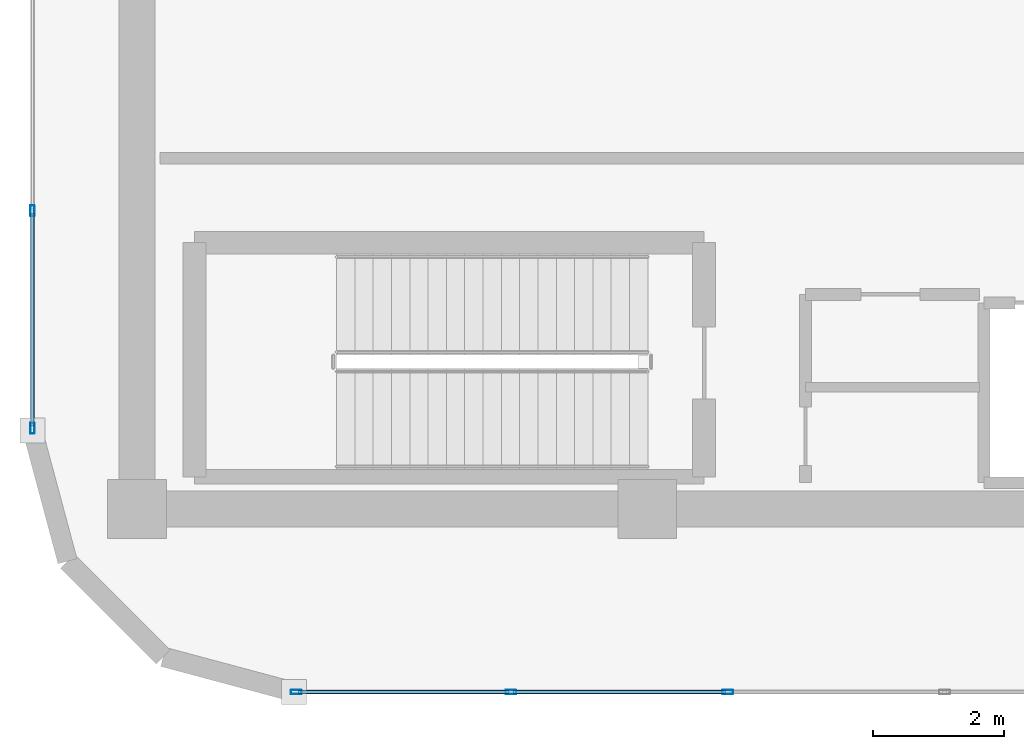
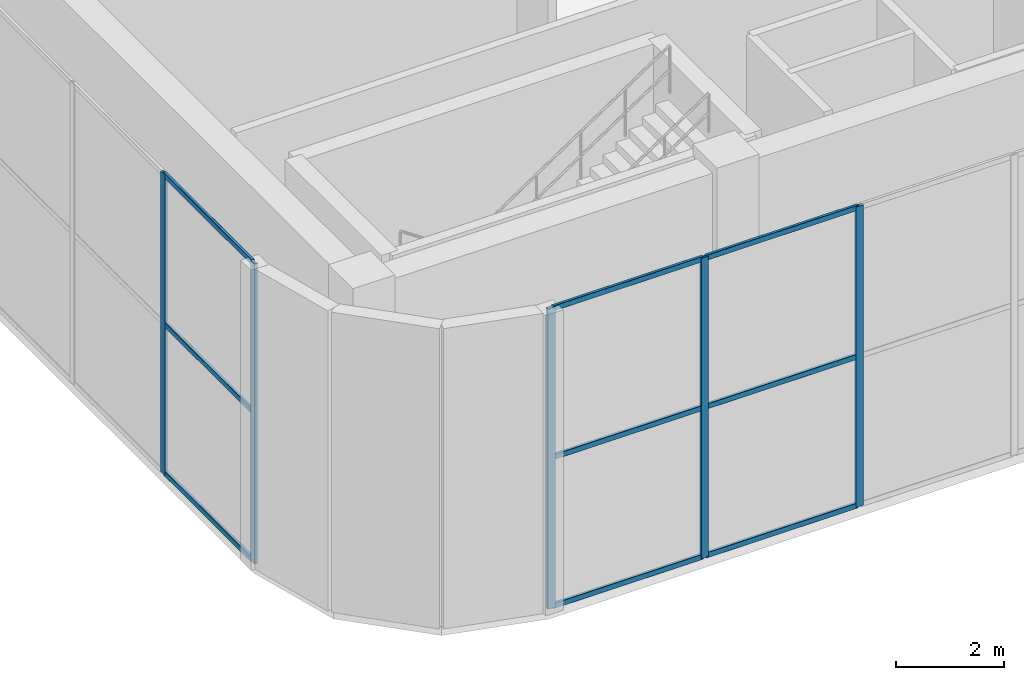
# One storey, part 2 of 24: 14 members, 2 elements without a shape of their own.
"""IFC4 building model written with IfcOpenShell, lengths in metres."""

from ifc_helpers import new_model, si_unit, direction, frame, origin, origin_2d, place, context, subcontext, project, spatial, hollow_rectangle, extrude, material, layer, layer_set, material_profile, profile_set, type_object, element, aggregate, save


model = new_model("IFC4")

# Units and contexts
model_context = context("Model", 3, precision=1e-05, world=origin(), true_north=direction((0.0, 1.0)))
body_context = subcontext(model_context, "Body", "Model", "MODEL_VIEW")
ifc_project = project(units=[si_unit("LENGTHUNIT", "METRE"), si_unit("AREAUNIT", "SQUARE_METRE"), si_unit("VOLUMEUNIT", "CUBIC_METRE"), si_unit("PLANEANGLEUNIT", "RADIAN"), si_unit("MASSUNIT", "GRAM", prefix="KILO")], contexts=[model_context])

# Site, building, storey
site_placement = place(None, origin())
site = spatial("IfcSite", under=ifc_project, at=site_placement, CompositionType="ELEMENT")
building_placement = place(site_placement, origin())
building = spatial("IfcBuilding", under=site, at=building_placement, Name="An Khanh Terracotta Commons", CompositionType="ELEMENT")
storey_placement = place(building_placement, frame((0.0, 0.0, 315.199951171875)))
storey = spatial("IfcBuildingStorey", under=building, at=storey_placement, Name="L80 Crown Cooling Plant", CompositionType="ELEMENT", Elevation=315.199951171875)

# Curtain wall, members
ifc_material = material(Name="Anodised Aluminium 6063-T6", Category="aluminium")
ifc_layer = layer(ifc_material, 0.18994140625, Name="Anodised Aluminium 6063-T6")
ifc_layer_set = layer_set([ifc_layer], Name="Anodised Aluminium 6063-T6")
curtain_wall_type = type_object("IfcCurtainWallType", Name="CW-SYS-06", PredefinedType="USERDEFINED", material=ifc_layer_set)
curtain_wall_1_placement = place(storey_placement, origin())
curtain_wall_1 = element("IfcCurtainWall", 1, at=curtain_wall_1_placement, inside=storey, type_object=curtain_wall_type, Name="L80 Crown Cooling Plant CW-06 Unitised Curtain Wall CW-L80-04", ObjectType="UNITISED CURTAIN WALL", PredefinedType="USERDEFINED")
ifc_material_profile_1 = material_profile(ifc_material, hollow_rectangle(XDim=0.06494140625, YDim=0.1650390625, WallThickness=0.00390625, InnerFilletRadius=0.00390625, OuterFilletRadius=0.008056640625, at=origin_2d()), Name="RHS165x65x4")
ifc_profile_set_1 = profile_set([ifc_material_profile_1], Name="Anodised Aluminium 6063-T6")
member_type_1 = type_object("IfcMemberType", Name="CWM-RHS165x65x4", PredefinedType="MULLION", material=ifc_profile_set_1)
member_1_placement = place(storey_placement, frame((24.032470703125, 11.60009765625, 0.0), z_axis=(0.0, 0.0, 1.0), x_axis=(0.0, 1.0, 0.0)))
member_1 = element("IfcMember", 2, at=member_1_placement, type_object=member_type_1, Name="CW-06 mullion 1", PredefinedType="MULLION", context=body_context, shape_type="SweptSolid", body=[
    extrude(hollow_rectangle(XDim=0.06494140625, YDim=0.1650390625, WallThickness=0.00390625, InnerFilletRadius=0.00390625, OuterFilletRadius=0.008056640625, at=origin_2d()), origin(), (0.0, 0.0, 1.0), 6.800048828125),
])
member_2_placement = place(storey_placement, frame((27.315673828125, 11.60009765625, 0.0), z_axis=(0.0, 0.0, 1.0), x_axis=(0.0, 1.0, 0.0)))
member_2 = element("IfcMember", 3, at=member_2_placement, type_object=member_type_1, Name="CW-06 mullion 2", PredefinedType="MULLION", context=body_context, shape_type="SweptSolid", body=[
    extrude(hollow_rectangle(XDim=0.06494140625, YDim=0.1650390625, WallThickness=0.00390625, InnerFilletRadius=0.00390625, OuterFilletRadius=0.008056640625, at=origin_2d()), origin(), (0.0, 0.0, 1.0), 6.800048828125),
])
member_3_placement = place(storey_placement, frame((30.63134765625, 11.60009765625, 0.0), z_axis=(0.0, 0.0, 1.0), x_axis=(0.0, 1.0, 0.0)))
member_3 = element("IfcMember", 4, at=member_3_placement, type_object=member_type_1, Name="CW-06 mullion 3", PredefinedType="MULLION", context=body_context, shape_type="SweptSolid", body=[
    extrude(hollow_rectangle(XDim=0.06494140625, YDim=0.1650390625, WallThickness=0.00390625, InnerFilletRadius=0.00390625, OuterFilletRadius=0.008056640625, at=origin_2d()), origin(), (0.0, 0.0, 1.0), 6.800048828125),
])

curtain_wall_2_placement = place(storey_placement, origin())
curtain_wall_2 = element("IfcCurtainWall", 5, at=curtain_wall_2_placement, inside=storey, type_object=curtain_wall_type, Name="L80 Crown Cooling Plant CW-06 Unitised Curtain Wall CW-L80-24", ObjectType="UNITISED CURTAIN WALL", PredefinedType="USERDEFINED")
member_4_placement = place(storey_placement, frame((20.0, 18.9599609375, 0.0), z_axis=(0.0, 0.0, 1.0), x_axis=(1.0, 0.0, 0.0)))
member_4 = element("IfcMember", 6, at=member_4_placement, type_object=member_type_1, Name="CW-06 mullion 5", PredefinedType="MULLION", context=body_context, shape_type="SweptSolid", body=[
    extrude(hollow_rectangle(XDim=0.06494140625, YDim=0.1650390625, WallThickness=0.00390625, InnerFilletRadius=0.00390625, OuterFilletRadius=0.008056640625, at=origin_2d()), origin(), (0.0, 0.0, 1.0), 6.800048828125),
])
member_5_placement = place(storey_placement, frame((20.0, 15.632568359375, 0.0), z_axis=(0.0, 0.0, 1.0), x_axis=(1.0, 0.0, 0.0)))
member_5 = element("IfcMember", 7, at=member_5_placement, type_object=member_type_1, Name="CW-06 mullion 6", PredefinedType="MULLION", context=body_context, shape_type="SweptSolid", body=[
    extrude(hollow_rectangle(XDim=0.06494140625, YDim=0.1650390625, WallThickness=0.00390625, InnerFilletRadius=0.00390625, OuterFilletRadius=0.008056640625, at=origin_2d()), origin(), (0.0, 0.0, 1.0), 6.800048828125),
])

# Member
ifc_material_profile_2 = material_profile(ifc_material, hollow_rectangle(XDim=0.06005859375, YDim=0.1201171875, WallThickness=0.003662109375, InnerFilletRadius=0.003662109375, OuterFilletRadius=0.007080078125, at=origin_2d()), Name="RHS120x60x3.6")
ifc_profile_set_2 = profile_set([ifc_material_profile_2], Name="Anodised Aluminium 6063-T6")
member_type_2 = type_object("IfcMemberType", Name="CWT-RHS120x60x3.6", PredefinedType="USERDEFINED", material=ifc_profile_set_2)
member_6_placement = place(storey_placement, frame((24.06494140625, 11.60009765625, 0.030029296875), z_axis=(1.0, 0.0, 0.0), x_axis=(0.0, 1.0, 0.0)))
member_6 = element("IfcMember", 8, at=member_6_placement, type_object=member_type_2, Name="CW-06 transom 1.1", ObjectType="TRANSOM", PredefinedType="USERDEFINED", context=body_context, shape_type="SweptSolid", body=[
    extrude(hollow_rectangle(XDim=0.06005859375, YDim=0.1201171875, WallThickness=0.003662109375, InnerFilletRadius=0.003662109375, OuterFilletRadius=0.007080078125, at=origin_2d()), origin(), (0.0, 0.0, 1.0), 3.21826171875),
])

member_7_placement = place(storey_placement, frame((24.06494140625, 11.60009765625, 3.400146484375), z_axis=(1.0, 0.0, 0.0), x_axis=(0.0, 1.0, 0.0)))
member_7 = element("IfcMember", 9, at=member_7_placement, type_object=member_type_2, Name="CW-06 transom 1.2", ObjectType="TRANSOM", PredefinedType="USERDEFINED", context=body_context, shape_type="SweptSolid", body=[
    extrude(hollow_rectangle(XDim=0.06005859375, YDim=0.1201171875, WallThickness=0.003662109375, InnerFilletRadius=0.003662109375, OuterFilletRadius=0.007080078125, at=origin_2d()), origin(), (0.0, 0.0, 1.0), 3.21826171875),
])

member_8_placement = place(storey_placement, frame((24.06494140625, 11.60009765625, 6.77001953125), z_axis=(1.0, 0.0, 0.0), x_axis=(0.0, 1.0, 0.0)))
member_8 = element("IfcMember", 10, at=member_8_placement, type_object=member_type_2, Name="CW-06 transom 1.3", ObjectType="TRANSOM", PredefinedType="USERDEFINED", context=body_context, shape_type="SweptSolid", body=[
    extrude(hollow_rectangle(XDim=0.06005859375, YDim=0.1201171875, WallThickness=0.003662109375, InnerFilletRadius=0.003662109375, OuterFilletRadius=0.007080078125, at=origin_2d()), origin(), (0.0, 0.0, 1.0), 3.21826171875),
])

member_9_placement = place(storey_placement, frame((27.34814453125, 11.60009765625, 0.030029296875), z_axis=(1.0, 0.0, 0.0), x_axis=(0.0, 1.0, 0.0)))
member_9 = element("IfcMember", 11, at=member_9_placement, type_object=member_type_2, Name="CW-06 transom 2.1", ObjectType="TRANSOM", PredefinedType="USERDEFINED", context=body_context, shape_type="SweptSolid", body=[
    extrude(hollow_rectangle(XDim=0.06005859375, YDim=0.1201171875, WallThickness=0.003662109375, InnerFilletRadius=0.003662109375, OuterFilletRadius=0.007080078125, at=origin_2d()), origin(), (0.0, 0.0, 1.0), 3.250732421875),
])

member_10_placement = place(storey_placement, frame((27.34814453125, 11.60009765625, 3.400146484375), z_axis=(1.0, 0.0, 0.0), x_axis=(0.0, 1.0, 0.0)))
member_10 = element("IfcMember", 12, at=member_10_placement, type_object=member_type_2, Name="CW-06 transom 2.2", ObjectType="TRANSOM", PredefinedType="USERDEFINED", context=body_context, shape_type="SweptSolid", body=[
    extrude(hollow_rectangle(XDim=0.06005859375, YDim=0.1201171875, WallThickness=0.003662109375, InnerFilletRadius=0.003662109375, OuterFilletRadius=0.007080078125, at=origin_2d()), origin(), (0.0, 0.0, 1.0), 3.250732421875),
])

member_11_placement = place(storey_placement, frame((27.34814453125, 11.60009765625, 6.77001953125), z_axis=(1.0, 0.0, 0.0), x_axis=(0.0, 1.0, 0.0)))
member_11 = element("IfcMember", 13, at=member_11_placement, type_object=member_type_2, Name="CW-06 transom 2.3", ObjectType="TRANSOM", PredefinedType="USERDEFINED", context=body_context, shape_type="SweptSolid", body=[
    extrude(hollow_rectangle(XDim=0.06005859375, YDim=0.1201171875, WallThickness=0.003662109375, InnerFilletRadius=0.003662109375, OuterFilletRadius=0.007080078125, at=origin_2d()), origin(), (0.0, 0.0, 1.0), 3.250732421875),
])

aggregate(curtain_wall_1, [member_1, member_2, member_3, member_6, member_7, member_8, member_9, member_10, member_11])

member_12_placement = place(storey_placement, frame((20.0, 18.927490234375, 0.030029296875), z_axis=(0.0, -1.0, 0.0), x_axis=(1.0, 0.0, 0.0)))
member_12 = element("IfcMember", 14, at=member_12_placement, type_object=member_type_2, Name="CW-06 transom 5.1", ObjectType="TRANSOM", PredefinedType="USERDEFINED", context=body_context, shape_type="SweptSolid", body=[
    extrude(hollow_rectangle(XDim=0.06005859375, YDim=0.1201171875, WallThickness=0.003662109375, InnerFilletRadius=0.003662109375, OuterFilletRadius=0.007080078125, at=origin_2d()), origin(), (0.0, 0.0, 1.0), 3.262451171875),
])

member_13_placement = place(storey_placement, frame((20.0, 18.927490234375, 3.400146484375), z_axis=(0.0, -1.0, 0.0), x_axis=(1.0, 0.0, 0.0)))
member_13 = element("IfcMember", 15, at=member_13_placement, type_object=member_type_2, Name="CW-06 transom 5.2", ObjectType="TRANSOM", PredefinedType="USERDEFINED", context=body_context, shape_type="SweptSolid", body=[
    extrude(hollow_rectangle(XDim=0.06005859375, YDim=0.1201171875, WallThickness=0.003662109375, InnerFilletRadius=0.003662109375, OuterFilletRadius=0.007080078125, at=origin_2d()), origin(), (0.0, 0.0, 1.0), 3.262451171875),
])

member_14_placement = place(storey_placement, frame((20.0, 18.927490234375, 6.77001953125), z_axis=(0.0, -1.0, 0.0), x_axis=(1.0, 0.0, 0.0)))
member_14 = element("IfcMember", 16, at=member_14_placement, type_object=member_type_2, Name="CW-06 transom 5.3", ObjectType="TRANSOM", PredefinedType="USERDEFINED", context=body_context, shape_type="SweptSolid", body=[
    extrude(hollow_rectangle(XDim=0.06005859375, YDim=0.1201171875, WallThickness=0.003662109375, InnerFilletRadius=0.003662109375, OuterFilletRadius=0.007080078125, at=origin_2d()), origin(), (0.0, 0.0, 1.0), 3.262451171875),
])

aggregate(curtain_wall_2, [member_4, member_5, member_12, member_13, member_14])

save(model, "model.ifc")
